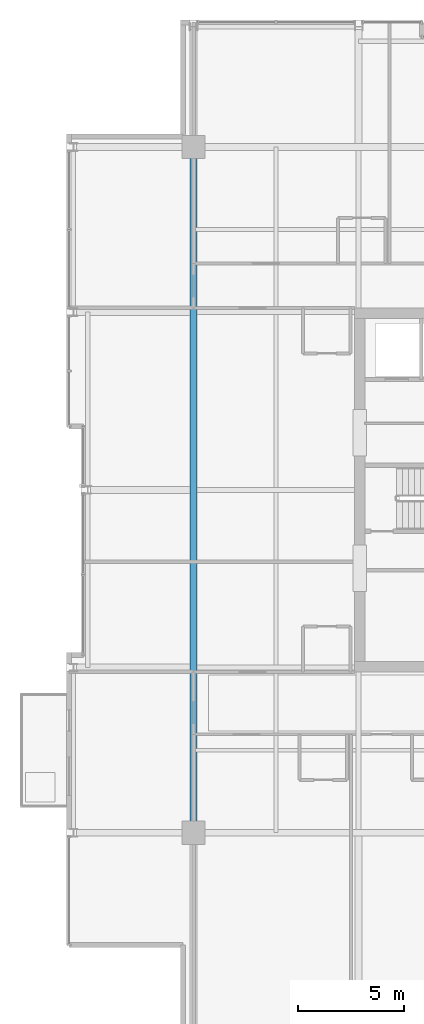
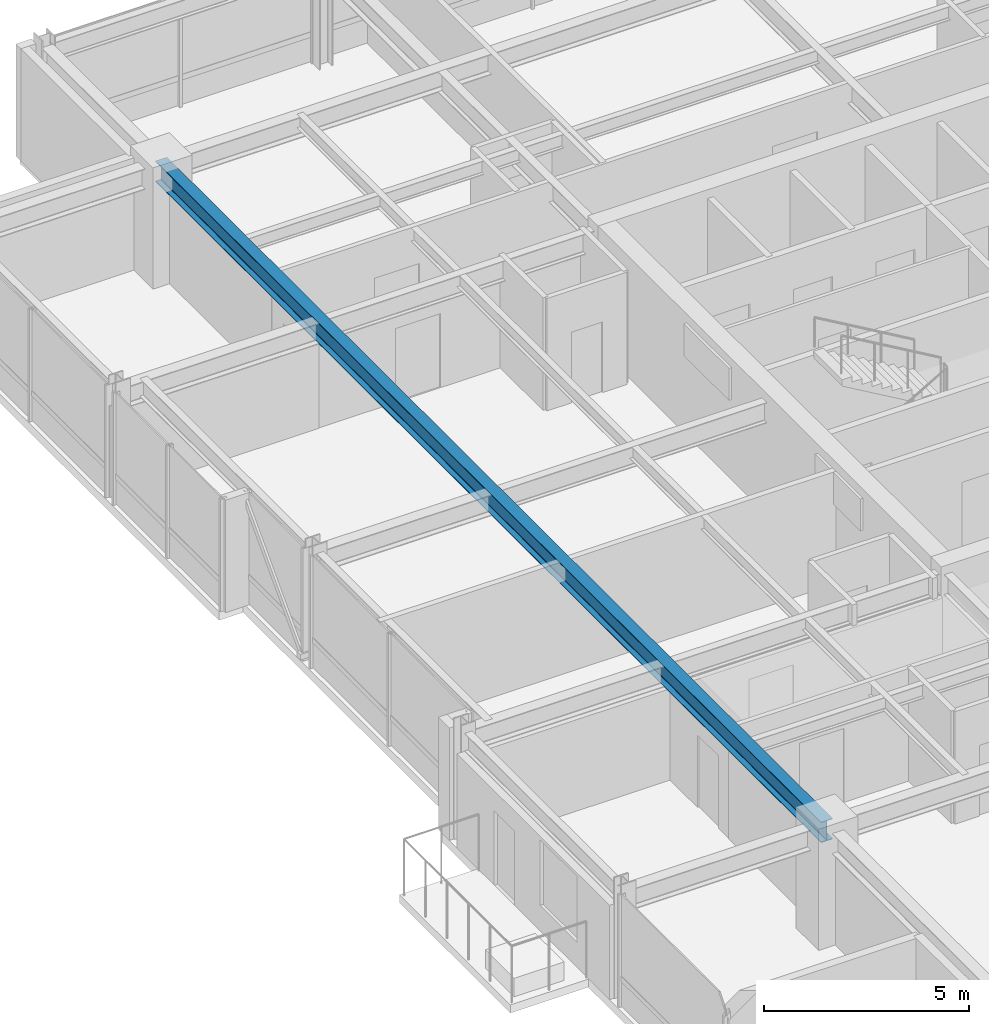
# One storey, part 9 of 32: 1 beam.
"""IFC4 building model written with IfcOpenShell, lengths in metres."""

import ifcopenshell
import ifcopenshell.guid

model = None  # the IFC model being written
_history = None  # IfcOwnerHistory: only IFC2X3 demands one
_inside = {}  # id of a spatial element -> (the spatial element, [elements in it])
_under = {}  # id of a project, library or spatial element -> (it, [spatial elements below it])
_declared = {}  # id of a project -> (the project, [libraries it declares])
_typed = {}  # id of a type object -> (the type object, [elements of that type])
_made_of = {}  # id of a material, layer set ... -> (it, [elements and type objects made of it])


def new_model(schema):
    """Start an empty IFC model of exactly this schema.

    Asked for "IFC4X3", IfcOpenShell would pick the latest addendum, in which some entities
    have other attributes; the version numbers below select the first issue.
    IFC2X3 requires an IfcOwnerHistory on every rooted entity: one is made here for all.
    """
    global model, _history
    if schema == "IFC4X3":
        model = ifcopenshell.file(schema_version=(4, 3, 0, 0))
    else:
        model = ifcopenshell.file(schema=schema)
    _inside.clear()
    _under.clear()
    _declared.clear()
    _typed.clear()
    _made_of.clear()
    _history = None
    if model.schema == "IFC2X3":
        org = make("IfcOrganization", Name="unknown")
        user = make(
            "IfcPersonAndOrganization",
            ThePerson=make("IfcPerson", FamilyName="unknown"),
            TheOrganization=org,
        )
        app = make(
            "IfcApplication",
            ApplicationDeveloper=org,
            Version="unknown",
            ApplicationFullName="unknown",
            ApplicationIdentifier="unknown",
        )
        _history = make(
            "IfcOwnerHistory",
            OwningUser=user,
            OwningApplication=app,
            ChangeAction="ADDED",
            CreationDate=0,
        )
    return model


def make(cls, **values):
    """One entity of the class cls with the attributes given. An attribute that is None is left unset."""
    return model.create_entity(
        cls, **{name: value for name, value in values.items() if value is not None}
    )


def rooted(cls, **values):
    """An entity with a GlobalId (a new one), such as an element, a storey or a relation."""
    return make(cls, GlobalId=ifcopenshell.guid.new(), OwnerHistory=_history, **values)


def si_unit(unit_type, name, prefix=None):
    """IfcSIUnit, for example si_unit("LENGTHUNIT", "METRE", prefix="MILLI")."""
    return make("IfcSIUnit", UnitType=unit_type, Prefix=prefix, Name=name)


def assignment(units):
    """IfcUnitAssignment: the units of a project."""
    return None if units is None else make("IfcUnitAssignment", Units=units)


def point(xyz):
    """IfcCartesianPoint."""
    return None if xyz is None else make("IfcCartesianPoint", Coordinates=xyz)


def direction(xyz):
    """IfcDirection."""
    return None if xyz is None else make("IfcDirection", DirectionRatios=xyz)


def frame(location, z_axis=None, x_axis=None):
    """IfcAxis2Placement3D, a coordinate frame: its origin and axes. An axis left out is left unset."""
    return make(
        "IfcAxis2Placement3D",
        Location=point(location),
        Axis=direction(z_axis),
        RefDirection=direction(x_axis),
    )


def frame_2d(location, x_axis=None):
    """IfcAxis2Placement2D, a coordinate frame in the plane: its origin and x axis."""
    return make(
        "IfcAxis2Placement2D", Location=point(location), RefDirection=direction(x_axis)
    )


def origin():
    """The frame at (0, 0, 0) with its axes left unset."""
    return frame((0.0, 0.0, 0.0))


def origin_2d():
    """The frame at (0, 0) in the plane with its x axis left unset."""
    return frame_2d((0.0, 0.0))


def place(relative_to, where):
    """IfcLocalPlacement: puts the frame where relative to a parent placement (None: the world)."""
    return make(
        "IfcLocalPlacement", PlacementRelTo=relative_to, RelativePlacement=where
    )


def context(
    kind, dimensions, precision=None, world=None, true_north=None, identifier=None
):
    """IfcGeometricRepresentationContext, for example the 3D "Model" context."""
    return make(
        "IfcGeometricRepresentationContext",
        ContextIdentifier=identifier,
        ContextType=kind,
        CoordinateSpaceDimension=dimensions,
        Precision=precision,
        WorldCoordinateSystem=world,
        TrueNorth=true_north,
    )


def subcontext(parent, identifier, kind, view, scale=None):
    """IfcGeometricRepresentationSubContext, for example "Body" below "Model"."""
    return make(
        "IfcGeometricRepresentationSubContext",
        ContextIdentifier=identifier,
        ContextType=kind,
        ParentContext=parent,
        TargetScale=scale,
        TargetView=view,
    )


def project(units=None, contexts=None):
    """IfcProject with its units and contexts."""
    return rooted(
        "IfcProject",
        Name="project",
        RepresentationContexts=contexts,
        UnitsInContext=assignment(units),
    )


def spatial(cls, under=None, at=None, **own):
    """A site, building, storey or space (cls), placed at a placement, below another one or the project."""
    s = rooted(cls, ObjectPlacement=at, **own)
    if under is not None:
        _under.setdefault(under.id(), (under, []))[1].append(s)
    return s


def profile(cls, at=None, kind="AREA", **sizes):
    """A parametric profile (cls). Its sizes go by their IFC names, for example OverallWidth=200.0."""
    return make(cls, ProfileType=kind, Position=at, **sizes)


def i_section(**sizes):
    """IfcIShapeProfileDef."""
    return profile("IfcIShapeProfileDef", **sizes)


def extrude(swept, where, along, depth):
    """IfcExtrudedAreaSolid: the profile swept, set in the frame where, extruded along a direction by depth."""
    return make(
        "IfcExtrudedAreaSolid",
        SweptArea=swept,
        Position=where,
        ExtrudedDirection=direction(along),
        Depth=depth,
    )


def shape(context_of_items, identifier, shape_type, items):
    """IfcShapeRepresentation: the items that make up one representation, for example the "Body"."""
    return make(
        "IfcShapeRepresentation",
        ContextOfItems=context_of_items,
        RepresentationIdentifier=identifier,
        RepresentationType=shape_type,
        Items=items,
    )


def material(Name=None, Category=None):
    """IfcMaterial."""
    return make("IfcMaterial", Name=Name, Category=Category)


def material_profile(
    of_material, cross_section, Name=None, Category=None, Priority=None
):
    """IfcMaterialProfile: a cross section and its material."""
    return make(
        "IfcMaterialProfile",
        Name=Name,
        Material=of_material,
        Profile=cross_section,
        Priority=Priority,
        Category=Category,
    )


def profile_set(profiles, Name=None, composite=None):
    """IfcMaterialProfileSet."""
    return make(
        "IfcMaterialProfileSet",
        Name=Name,
        MaterialProfiles=profiles,
        CompositeProfile=composite,
    )


def made_of(thing, what):
    """Note that an element or type object is made of a material, layer set ...; save() writes the relation."""
    if what is not None:
        _made_of.setdefault(what.id(), (what, []))[1].append(thing)
    return thing


def type_object(cls, material=None, **own):
    """A type object (cls), such as IfcWallType, which elements share."""
    return made_of(rooted(cls, **own), material)


def element(
    cls,
    number,
    at=None,
    inside=None,
    cuts=None,
    type_object=None,
    material=None,
    context=None,
    identifier="Body",
    shape_type=None,
    held_by="IfcProductDefinitionShape",
    body=None,
    shapes=None,
    **own,
):
    """One element of the class cls, such as IfcWall. Its Tag is "e" and its number.

    at: its placement. inside: the storey or other place that contains it. cuts: it is an
    opening in that element (IfcRelVoidsElement). A single representation is given by context,
    identifier, shape_type and body (its items); several are given by shapes. held_by: the class
    of the entity that holds the representations. save() writes the other relations.
    """
    e = rooted(cls, Tag="e%d" % number, ObjectPlacement=at, **own)
    if body is not None:
        shapes = [shape(context, identifier, shape_type, body)]
    if shapes is not None:
        e.Representation = make(held_by, Representations=shapes)
    if inside is not None:
        _inside.setdefault(inside.id(), (inside, []))[1].append(e)
    if cuts is not None:
        rooted(
            "IfcRelVoidsElement", RelatingBuildingElement=cuts, RelatedOpeningElement=e
        )
    if type_object is not None:
        _typed.setdefault(type_object.id(), (type_object, []))[1].append(e)
    return made_of(e, material)


def aggregate(whole, parts):
    """IfcRelAggregates: a whole, such as a stair, and the parts it consists of."""
    return rooted("IfcRelAggregates", RelatingObject=whole, RelatedObjects=parts)


def save(model, path):
    """Write the relations noted so far, then the file.

    IfcRelAggregates (storeys below a building ...), IfcRelContainedInSpatialStructure (elements
    in a storey), IfcRelDefinesByType, IfcRelAssociatesMaterial and IfcRelDeclares: one each for
    every whole, place, type object, material and project.
    """
    for whole, parts in _under.values():
        aggregate(whole, parts)
    for where, things in _inside.values():
        rooted(
            "IfcRelContainedInSpatialStructure",
            RelatedElements=things,
            RelatingStructure=where,
        )
    for kind, things in _typed.values():
        rooted("IfcRelDefinesByType", RelatedObjects=things, RelatingType=kind)
    for what, things in _made_of.values():
        rooted("IfcRelAssociatesMaterial", RelatedObjects=things, RelatingMaterial=what)
    for by, libraries in _declared.values():
        rooted("IfcRelDeclares", RelatingContext=by, RelatedDefinitions=libraries)
    model.write(path)


model = new_model("IFC4")

# Units and contexts
model_context = context("Model", 3, precision=1e-05, world=origin(), true_north=direction((0.0, 1.0)))
body_context = subcontext(model_context, "Body", "Model", "MODEL_VIEW")
ifc_project = project(units=[si_unit("LENGTHUNIT", "METRE"), si_unit("AREAUNIT", "SQUARE_METRE"), si_unit("VOLUMEUNIT", "CUBIC_METRE"), si_unit("PLANEANGLEUNIT", "RADIAN"), si_unit("MASSUNIT", "GRAM", prefix="KILO")], contexts=[model_context])

# Site, building, storey
site_placement = place(None, origin())
site = spatial("IfcSite", under=ifc_project, at=site_placement, CompositionType="ELEMENT")
building_placement = place(site_placement, origin())
building = spatial("IfcBuilding", under=site, at=building_placement, Name="Drelvath Grand Hotel", CompositionType="ELEMENT")
storey_placement = place(building_placement, frame((0.0, 0.0, 233.89990234375)))
storey = spatial("IfcBuildingStorey", under=building, at=storey_placement, Name="L61", CompositionType="ELEMENT", Elevation=233.89990234375)

# Beam
ifc_material = material(Name="Steel ASTM A992 Gr 50", Category="steel")
ifc_material_profile = material_profile(ifc_material, i_section(OverallWidth=0.323974609375, OverallDepth=0.611083984375, WebThickness=0.0126953125, FlangeThickness=0.01904296875, FilletRadius=0.02197265625, at=origin_2d()), Name="W24X104")
ifc_profile_set = profile_set([ifc_material_profile], Name="Steel ASTM A992 Gr 50")
beam_type = type_object("IfcBeamType", Name="Primary Floor Girder W24X104", PredefinedType="BEAM", material=ifc_profile_set)
beam_placement = place(storey_placement, frame((-16.199951171875, 10.800048828125, 3.034423828125), z_axis=(0.0, 1.0, 0.0), x_axis=(-1.0, 0.0, 0.0)))
element("IfcBeam", 1, at=beam_placement, inside=storey, type_object=beam_type, Name="L61 Mega Ring Girder West", PredefinedType="BEAM", context=body_context, shape_type="SweptSolid", body=[
    extrude(i_section(OverallWidth=0.323974609375, OverallDepth=0.611083984375, WebThickness=0.0126953125, FlangeThickness=0.01904296875, FilletRadius=0.02197265625, at=origin_2d()), origin(), (0.0, 0.0, 1.0), 32.39990234375),
])

save(model, "model.ifc")
